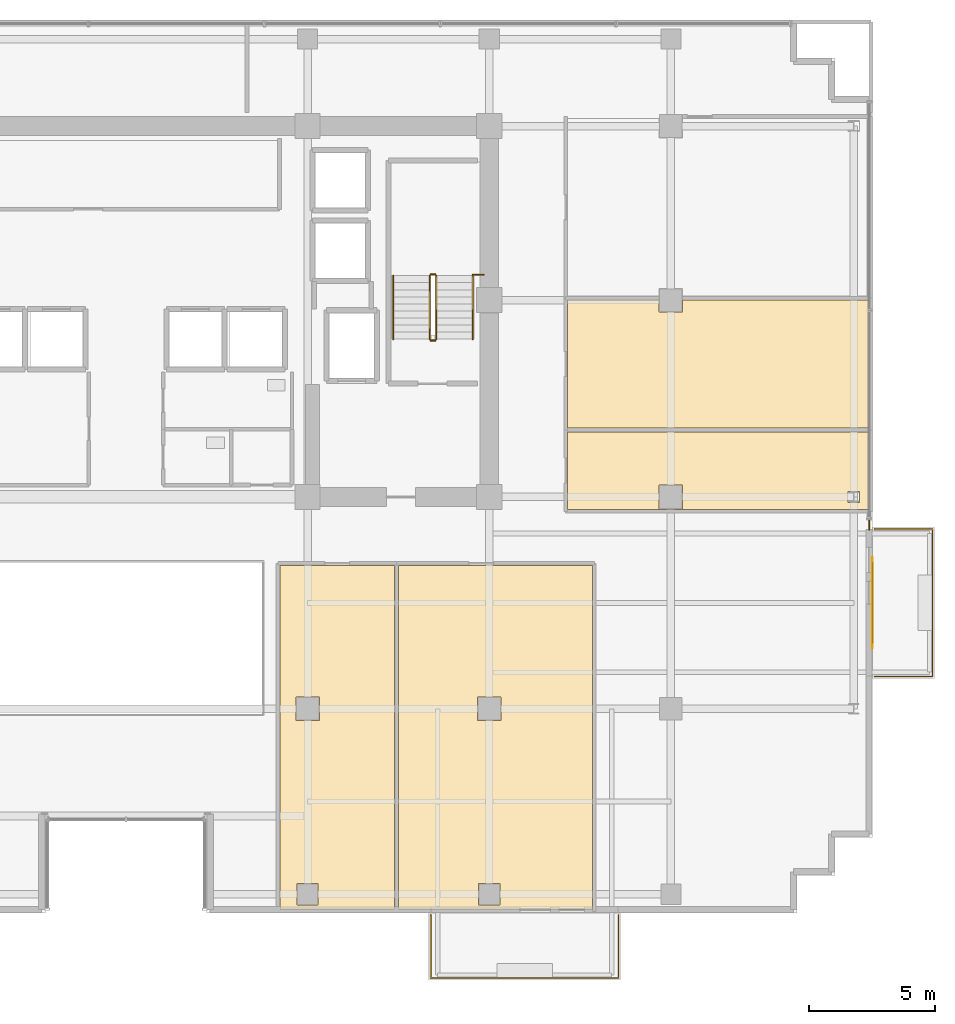
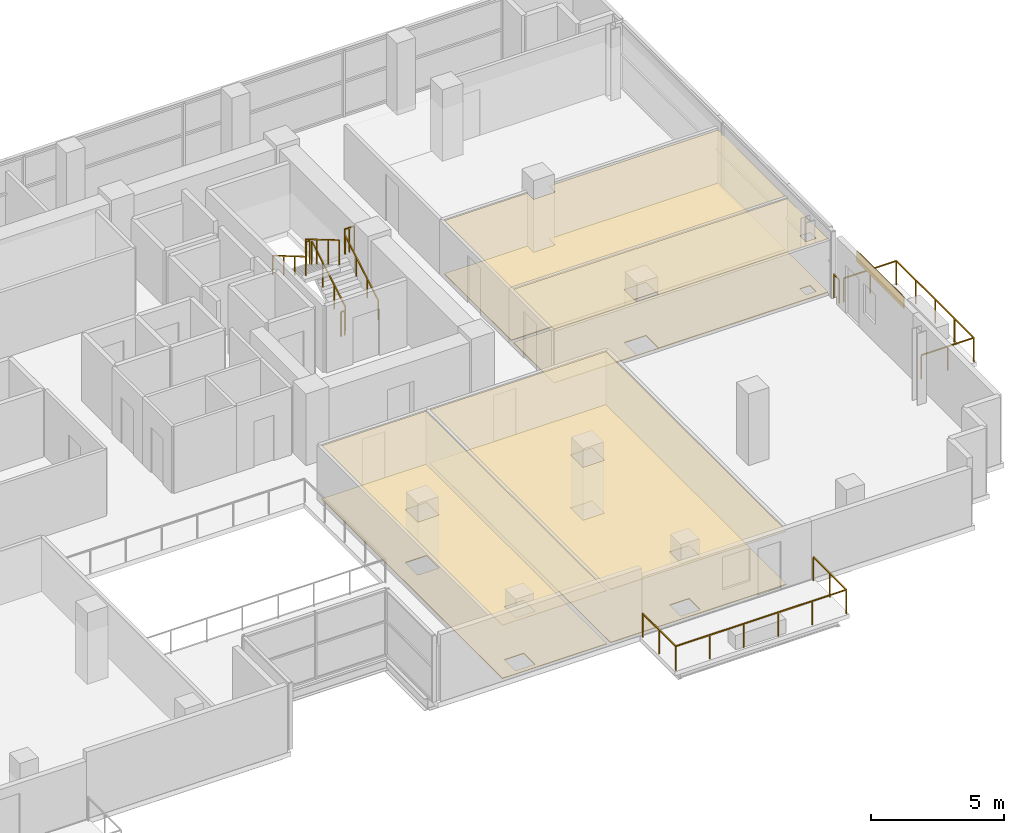
# One storey, part 23 of 25: 10 railings, 9 coverings, 1 shading device.
"""IFC4 building model written with IfcOpenShell, lengths in metres."""

import ifcopenshell
import ifcopenshell.guid

model = None  # the IFC model being written
_history = None  # IfcOwnerHistory: only IFC2X3 demands one
_inside = {}  # id of a spatial element -> (the spatial element, [elements in it])
_under = {}  # id of a project, library or spatial element -> (it, [spatial elements below it])
_declared = {}  # id of a project -> (the project, [libraries it declares])
_typed = {}  # id of a type object -> (the type object, [elements of that type])
_made_of = {}  # id of a material, layer set ... -> (it, [elements and type objects made of it])


def new_model(schema):
    """Start an empty IFC model of exactly this schema.

    Asked for "IFC4X3", IfcOpenShell would pick the latest addendum, in which some entities
    have other attributes; the version numbers below select the first issue.
    IFC2X3 requires an IfcOwnerHistory on every rooted entity: one is made here for all.
    """
    global model, _history
    if schema == "IFC4X3":
        model = ifcopenshell.file(schema_version=(4, 3, 0, 0))
    else:
        model = ifcopenshell.file(schema=schema)
    _inside.clear()
    _under.clear()
    _declared.clear()
    _typed.clear()
    _made_of.clear()
    _history = None
    if model.schema == "IFC2X3":
        org = make("IfcOrganization", Name="unknown")
        user = make(
            "IfcPersonAndOrganization",
            ThePerson=make("IfcPerson", FamilyName="unknown"),
            TheOrganization=org,
        )
        app = make(
            "IfcApplication",
            ApplicationDeveloper=org,
            Version="unknown",
            ApplicationFullName="unknown",
            ApplicationIdentifier="unknown",
        )
        _history = make(
            "IfcOwnerHistory",
            OwningUser=user,
            OwningApplication=app,
            ChangeAction="ADDED",
            CreationDate=0,
        )
    return model


def make(cls, **values):
    """One entity of the class cls with the attributes given. An attribute that is None is left unset."""
    return model.create_entity(
        cls, **{name: value for name, value in values.items() if value is not None}
    )


def rooted(cls, **values):
    """An entity with a GlobalId (a new one), such as an element, a storey or a relation."""
    return make(cls, GlobalId=ifcopenshell.guid.new(), OwnerHistory=_history, **values)


def si_unit(unit_type, name, prefix=None):
    """IfcSIUnit, for example si_unit("LENGTHUNIT", "METRE", prefix="MILLI")."""
    return make("IfcSIUnit", UnitType=unit_type, Prefix=prefix, Name=name)


def assignment(units):
    """IfcUnitAssignment: the units of a project."""
    return None if units is None else make("IfcUnitAssignment", Units=units)


def point(xyz):
    """IfcCartesianPoint."""
    return None if xyz is None else make("IfcCartesianPoint", Coordinates=xyz)


def direction(xyz):
    """IfcDirection."""
    return None if xyz is None else make("IfcDirection", DirectionRatios=xyz)


def frame(location, z_axis=None, x_axis=None):
    """IfcAxis2Placement3D, a coordinate frame: its origin and axes. An axis left out is left unset."""
    return make(
        "IfcAxis2Placement3D",
        Location=point(location),
        Axis=direction(z_axis),
        RefDirection=direction(x_axis),
    )


def frame_2d(location, x_axis=None):
    """IfcAxis2Placement2D, a coordinate frame in the plane: its origin and x axis."""
    return make(
        "IfcAxis2Placement2D", Location=point(location), RefDirection=direction(x_axis)
    )


def origin():
    """The frame at (0, 0, 0) with its axes left unset."""
    return frame((0.0, 0.0, 0.0))


def origin_2d():
    """The frame at (0, 0) in the plane with its x axis left unset."""
    return frame_2d((0.0, 0.0))


def place(relative_to, where):
    """IfcLocalPlacement: puts the frame where relative to a parent placement (None: the world)."""
    return make(
        "IfcLocalPlacement", PlacementRelTo=relative_to, RelativePlacement=where
    )


def context(
    kind, dimensions, precision=None, world=None, true_north=None, identifier=None
):
    """IfcGeometricRepresentationContext, for example the 3D "Model" context."""
    return make(
        "IfcGeometricRepresentationContext",
        ContextIdentifier=identifier,
        ContextType=kind,
        CoordinateSpaceDimension=dimensions,
        Precision=precision,
        WorldCoordinateSystem=world,
        TrueNorth=true_north,
    )


def subcontext(parent, identifier, kind, view, scale=None):
    """IfcGeometricRepresentationSubContext, for example "Body" below "Model"."""
    return make(
        "IfcGeometricRepresentationSubContext",
        ContextIdentifier=identifier,
        ContextType=kind,
        ParentContext=parent,
        TargetScale=scale,
        TargetView=view,
    )


def project(units=None, contexts=None):
    """IfcProject with its units and contexts."""
    return rooted(
        "IfcProject",
        Name="project",
        RepresentationContexts=contexts,
        UnitsInContext=assignment(units),
    )


def spatial(cls, under=None, at=None, **own):
    """A site, building, storey or space (cls), placed at a placement, below another one or the project."""
    s = rooted(cls, ObjectPlacement=at, **own)
    if under is not None:
        _under.setdefault(under.id(), (under, []))[1].append(s)
    return s


def polyline(points):
    """IfcPolyline through the points."""
    return make("IfcPolyline", Points=[point(p) for p in points])


def profile(cls, at=None, kind="AREA", **sizes):
    """A parametric profile (cls). Its sizes go by their IFC names, for example OverallWidth=200.0."""
    return make(cls, ProfileType=kind, Position=at, **sizes)


def rectangle(**sizes):
    """IfcRectangleProfileDef."""
    return profile("IfcRectangleProfileDef", **sizes)


def outline(outer, holes=None, kind="AREA"):
    """IfcArbitraryClosedProfileDef: a profile drawn as a closed curve; with holes, ...WithVoids."""
    if holes is None:
        return make("IfcArbitraryClosedProfileDef", ProfileType=kind, OuterCurve=outer)
    return make(
        "IfcArbitraryProfileDefWithVoids",
        ProfileType=kind,
        OuterCurve=outer,
        InnerCurves=holes,
    )


def extrude(swept, where, along, depth):
    """IfcExtrudedAreaSolid: the profile swept, set in the frame where, extruded along a direction by depth."""
    return make(
        "IfcExtrudedAreaSolid",
        SweptArea=swept,
        Position=where,
        ExtrudedDirection=direction(along),
        Depth=depth,
    )


def shape(context_of_items, identifier, shape_type, items):
    """IfcShapeRepresentation: the items that make up one representation, for example the "Body"."""
    return make(
        "IfcShapeRepresentation",
        ContextOfItems=context_of_items,
        RepresentationIdentifier=identifier,
        RepresentationType=shape_type,
        Items=items,
    )


def source(mapping_origin, context_of_items, identifier, shape_type, items):
    """IfcRepresentationMap: a shape defined once, which mapped items show again and again."""
    return make(
        "IfcRepresentationMap",
        MappingOrigin=mapping_origin,
        MappedRepresentation=shape(context_of_items, identifier, shape_type, items),
    )


def transform(
    local_origin,
    x_axis=None,
    y_axis=None,
    z_axis=None,
    scale=None,
    scale2=None,
    scale3=None,
    uniform=True,
):
    """IfcCartesianTransformationOperator3D, or its non-uniform kind. x_axis, y_axis, z_axis: its Axis1, 2, 3."""
    if uniform:
        return make(
            "IfcCartesianTransformationOperator3D",
            Axis1=direction(x_axis),
            Axis2=direction(y_axis),
            LocalOrigin=point(local_origin),
            Scale=scale,
            Axis3=direction(z_axis),
        )
    return make(
        "IfcCartesianTransformationOperator3DnonUniform",
        Axis1=direction(x_axis),
        Axis2=direction(y_axis),
        LocalOrigin=point(local_origin),
        Scale=scale,
        Axis3=direction(z_axis),
        Scale2=scale2,
        Scale3=scale3,
    )


def mapped(mapping_source, mapping_target):
    """IfcMappedItem: shows the shape of a source again, moved by a transform."""
    return make(
        "IfcMappedItem", MappingSource=mapping_source, MappingTarget=mapping_target
    )


def material(Name=None, Category=None):
    """IfcMaterial."""
    return make("IfcMaterial", Name=Name, Category=Category)


def layer(
    of_material, thickness, ventilated=None, Name=None, Category=None, Priority=None
):
    """IfcMaterialLayer: one layer of a wall or slab, of a material (None: an air gap)."""
    return make(
        "IfcMaterialLayer",
        Material=of_material,
        LayerThickness=thickness,
        IsVentilated=ventilated,
        Name=Name,
        Category=Category,
        Priority=Priority,
    )


def layer_set(layers, Name=None):
    """IfcMaterialLayerSet."""
    return make("IfcMaterialLayerSet", MaterialLayers=layers, LayerSetName=Name)


def made_of(thing, what):
    """Note that an element or type object is made of a material, layer set ...; save() writes the relation."""
    if what is not None:
        _made_of.setdefault(what.id(), (what, []))[1].append(thing)
    return thing


def type_object(cls, material=None, **own):
    """A type object (cls), such as IfcWallType, which elements share."""
    return made_of(rooted(cls, **own), material)


def element(
    cls,
    number,
    at=None,
    inside=None,
    cuts=None,
    type_object=None,
    material=None,
    context=None,
    identifier="Body",
    shape_type=None,
    held_by="IfcProductDefinitionShape",
    body=None,
    shapes=None,
    **own,
):
    """One element of the class cls, such as IfcWall. Its Tag is "e" and its number.

    at: its placement. inside: the storey or other place that contains it. cuts: it is an
    opening in that element (IfcRelVoidsElement). A single representation is given by context,
    identifier, shape_type and body (its items); several are given by shapes. held_by: the class
    of the entity that holds the representations. save() writes the other relations.
    """
    e = rooted(cls, Tag="e%d" % number, ObjectPlacement=at, **own)
    if body is not None:
        shapes = [shape(context, identifier, shape_type, body)]
    if shapes is not None:
        e.Representation = make(held_by, Representations=shapes)
    if inside is not None:
        _inside.setdefault(inside.id(), (inside, []))[1].append(e)
    if cuts is not None:
        rooted(
            "IfcRelVoidsElement", RelatingBuildingElement=cuts, RelatedOpeningElement=e
        )
    if type_object is not None:
        _typed.setdefault(type_object.id(), (type_object, []))[1].append(e)
    return made_of(e, material)


def aggregate(whole, parts):
    """IfcRelAggregates: a whole, such as a stair, and the parts it consists of."""
    return rooted("IfcRelAggregates", RelatingObject=whole, RelatedObjects=parts)


def save(model, path):
    """Write the relations noted so far, then the file.

    IfcRelAggregates (storeys below a building ...), IfcRelContainedInSpatialStructure (elements
    in a storey), IfcRelDefinesByType, IfcRelAssociatesMaterial and IfcRelDeclares: one each for
    every whole, place, type object, material and project.
    """
    for whole, parts in _under.values():
        aggregate(whole, parts)
    for where, things in _inside.values():
        rooted(
            "IfcRelContainedInSpatialStructure",
            RelatedElements=things,
            RelatingStructure=where,
        )
    for kind, things in _typed.values():
        rooted("IfcRelDefinesByType", RelatedObjects=things, RelatingType=kind)
    for what, things in _made_of.values():
        rooted("IfcRelAssociatesMaterial", RelatedObjects=things, RelatingMaterial=what)
    for by, libraries in _declared.values():
        rooted("IfcRelDeclares", RelatingContext=by, RelatedDefinitions=libraries)
    model.write(path)


model = new_model("IFC4")

# Units and contexts
model_context = context("Model", 3, precision=1e-05, world=origin(), true_north=direction((0.0, 1.0)))
body_context = subcontext(model_context, "Body", "Model", "MODEL_VIEW")
ifc_project = project(units=[si_unit("LENGTHUNIT", "METRE"), si_unit("AREAUNIT", "SQUARE_METRE"), si_unit("VOLUMEUNIT", "CUBIC_METRE"), si_unit("PLANEANGLEUNIT", "RADIAN"), si_unit("MASSUNIT", "GRAM", prefix="KILO")], contexts=[model_context])

# Site, building, storey
site_placement = place(None, origin())
site = spatial("IfcSite", under=ifc_project, at=site_placement, CompositionType="ELEMENT")
building_placement = place(site_placement, origin())
building = spatial("IfcBuilding", under=site, at=building_placement, Name="Zarnakvel Exchange Tower", CompositionType="ELEMENT")
storey_placement = place(building_placement, frame((0.0, 0.0, 126.39990234375)))
storey = spatial("IfcBuildingStorey", under=building, at=storey_placement, Name="L35", CompositionType="ELEMENT", Elevation=126.39990234375)

# Coverings
ifc_material_1 = material(Name="Perforated Bronze Acoustic Metal Ceiling", Category="aluminium")
ifc_layer_1 = layer(ifc_material_1, 0.02001953125)
ifc_layer_set_1 = layer_set([ifc_layer_1], Name="Perforated Bronze Acoustic Metal Ceiling")
covering_type_1 = type_object("IfcCoveringType", Name="CLG-01", PredefinedType="CEILING", material=ifc_layer_set_1)
covering_1_placement = place(storey_placement, frame((0.0, 0.0, 2.455078125)))
element("IfcCovering", 1, at=covering_1_placement, inside=storey, type_object=covering_type_1, Name="L35 Suspended Acoustic Ceiling (Meeting Room)", PredefinedType="CEILING", context=body_context, shape_type="SweptSolid", body=[
    extrude(outline(polyline([(6.10009765625, -3.909912109375), (10.649169921875, -3.909912109375), (10.649169921875, -17.550048828125), (6.10009765625, -17.550048828125), (6.10009765625, -3.909912109375)]), holes=[polyline([(6.72998046875, -10.070068359375), (7.669921875, -10.070068359375), (7.669921875, -9.1298828125), (6.72998046875, -9.1298828125), (6.72998046875, -10.070068359375)]), polyline([(7.6201171875, -17.3701171875), (7.6201171875, -16.530029296875), (6.780029296875, -16.530029296875), (6.780029296875, -17.3701171875), (7.6201171875, -17.3701171875)])]), origin(), (0.0, 0.0, 1.0), 0.02001953125),
])
covering_2_placement = place(storey_placement, frame((0.0, 0.0, 2.455078125)))
element("IfcCovering", 2, at=covering_2_placement, inside=storey, type_object=covering_type_1, Name="L35 Suspended Acoustic Ceiling (Executive Office)", PredefinedType="CEILING", context=body_context, shape_type="SweptSolid", body=[
    extrude(outline(polyline([(10.80908203125, -3.909912109375), (18.48583984375, -3.909912109375), (18.48583984375, -17.550048828125), (10.80908203125, -17.550048828125), (10.80908203125, -3.909912109375)]), holes=[polyline([(13.929931640625, -10.070068359375), (14.8701171875, -10.070068359375), (14.8701171875, -9.1298828125), (13.929931640625, -9.1298828125), (13.929931640625, -10.070068359375)]), polyline([(14.820068359375, -17.3701171875), (14.820068359375, -16.530029296875), (13.97998046875, -16.530029296875), (13.97998046875, -17.3701171875), (14.820068359375, -17.3701171875)])]), origin(), (0.0, 0.0, 1.0), 0.02001953125),
])
covering_3_placement = place(storey_placement, frame((0.0, 0.0, 2.455078125)))
element("IfcCovering", 3, at=covering_3_placement, inside=storey, type_object=covering_type_1, Name="L35 Suspended Acoustic Ceiling (Staff Pantry)", PredefinedType="CEILING", context=body_context, shape_type="SweptSolid", body=[
    extrude(outline(polyline([(17.510009765625, 1.380126953125), (29.449951171875, 1.380126953125), (29.449951171875, -1.68994140625), (17.510009765625, -1.68994140625), (17.510009765625, 1.380126953125)]), holes=[polyline([(28.6279296875, -1.423583984375), (29.072021484375, -1.423583984375), (29.072021484375, -0.9765625), (28.6279296875, -0.9765625), (28.6279296875, -1.423583984375)]), polyline([(22.070068359375, -1.669921875), (22.070068359375, -0.72998046875), (21.1298828125, -0.72998046875), (21.1298828125, -1.669921875), (22.070068359375, -1.669921875)])]), origin(), (0.0, 0.0, 1.0), 0.02001953125),
])
covering_4_placement = place(storey_placement, frame((0.0, 0.0, 2.455078125)))
element("IfcCovering", 4, at=covering_4_placement, inside=storey, type_object=covering_type_1, Name="L35 Suspended Acoustic Ceiling (Risk Analytics Suite)", PredefinedType="CEILING", context=body_context, shape_type="SweptSolid", body=[
    extrude(outline(polyline([(17.510009765625, 6.5966796875), (21.1298828125, 6.5966796875), (21.1298828125, 6.1298828125), (22.070068359375, 6.1298828125), (22.070068359375, 6.5966796875), (29.449951171875, 6.5966796875), (29.449951171875, 1.5400390625), (17.510009765625, 1.5400390625), (17.510009765625, 6.5966796875)])), origin(), (0.0, 0.0, 1.0), 0.02001953125),
])
ifc_material_2 = material(Name="Heavy-Duty Raised Access Floor Panel", Category="steel")
ifc_layer_2 = layer(ifc_material_2, 0.034912109375)
ifc_layer_set_2 = layer_set([ifc_layer_2], Name="Heavy-Duty Raised Access Floor Panel")
covering_type_2 = type_object("IfcCoveringType", Name="FLR-02", PredefinedType="FLOORING", material=ifc_layer_set_2)
covering_5_placement = place(storey_placement, origin())
element("IfcCovering", 5, at=covering_5_placement, inside=storey, type_object=covering_type_2, Name="L35 Floor Finish (Meeting Room)", PredefinedType="FLOORING", context=body_context, shape_type="SweptSolid", body=[
    extrude(outline(polyline([(6.10009765625, -3.909912109375), (10.649169921875, -3.909912109375), (10.649169921875, -17.550048828125), (6.10009765625, -17.550048828125), (6.10009765625, -3.909912109375)]), holes=[polyline([(6.72998046875, -10.070068359375), (7.669921875, -10.070068359375), (7.669921875, -9.1298828125), (6.72998046875, -9.1298828125), (6.72998046875, -10.070068359375)]), polyline([(7.6201171875, -17.3701171875), (7.6201171875, -16.530029296875), (6.780029296875, -16.530029296875), (6.780029296875, -17.3701171875), (7.6201171875, -17.3701171875)])]), origin(), (0.0, 0.0, 1.0), 0.03515625),
])
covering_6_placement = place(storey_placement, origin())
element("IfcCovering", 6, at=covering_6_placement, inside=storey, type_object=covering_type_2, Name="L35 Floor Finish (Executive Office)", PredefinedType="FLOORING", context=body_context, shape_type="SweptSolid", body=[
    extrude(outline(polyline([(10.80908203125, -3.909912109375), (18.48583984375, -3.909912109375), (18.48583984375, -17.550048828125), (10.80908203125, -17.550048828125), (10.80908203125, -3.909912109375)]), holes=[polyline([(13.929931640625, -10.070068359375), (14.8701171875, -10.070068359375), (14.8701171875, -9.1298828125), (13.929931640625, -9.1298828125), (13.929931640625, -10.070068359375)]), polyline([(14.820068359375, -17.3701171875), (14.820068359375, -16.530029296875), (13.97998046875, -16.530029296875), (13.97998046875, -17.3701171875), (14.820068359375, -17.3701171875)])]), origin(), (0.0, 0.0, 1.0), 0.03515625),
])
covering_7_placement = place(storey_placement, origin())
element("IfcCovering", 7, at=covering_7_placement, inside=storey, type_object=covering_type_2, Name="L35 Floor Finish (Staff Pantry)", PredefinedType="FLOORING", context=body_context, shape_type="SweptSolid", body=[
    extrude(outline(polyline([(17.510009765625, 1.380126953125), (29.449951171875, 1.380126953125), (29.449951171875, -1.68994140625), (17.510009765625, -1.68994140625), (17.510009765625, 1.380126953125)]), holes=[polyline([(28.6279296875, -1.423583984375), (29.072021484375, -1.423583984375), (29.072021484375, -0.9765625), (28.6279296875, -0.9765625), (28.6279296875, -1.423583984375)]), polyline([(22.070068359375, -1.669921875), (22.070068359375, -0.72998046875), (21.1298828125, -0.72998046875), (21.1298828125, -1.669921875), (22.070068359375, -1.669921875)])]), origin(), (0.0, 0.0, 1.0), 0.03515625),
])
covering_8_placement = place(storey_placement, origin())
element("IfcCovering", 8, at=covering_8_placement, inside=storey, type_object=covering_type_2, Name="L35 Floor Finish (Risk Analytics Suite)", PredefinedType="FLOORING", context=body_context, shape_type="SweptSolid", body=[
    extrude(outline(polyline([(17.510009765625, 6.5966796875), (21.1298828125, 6.5966796875), (21.1298828125, 6.1298828125), (22.070068359375, 6.1298828125), (22.070068359375, 6.5966796875), (29.449951171875, 6.5966796875), (29.449951171875, 1.5400390625), (17.510009765625, 1.5400390625), (17.510009765625, 6.5966796875)])), origin(), (0.0, 0.0, 1.0), 0.03515625),
])

# Railings
ifc_material_3 = material(Name="Architectural Bronze Anodised Aluminium", Category="aluminium")
railing_type_1 = type_object("IfcRailingType", Name="GR-02", PredefinedType="GUARDRAIL", material=ifc_material_3)
railing_1_placement = place(storey_placement, frame((12.080078125, -17.780029296875, -0.034912109375)))
element("IfcRailing", 9, at=railing_1_placement, inside=storey, type_object=railing_type_1, Name="L35 Balcony Guardrail BAL-L35-SE", PredefinedType="GUARDRAIL", context=body_context, shape_type="SweptSolid", body=[
    extrude(rectangle(XDim=0.048095703125, YDim=0.048095703125, at=origin_2d()), frame((0.0, 0.0, 1.09619140625), z_axis=(0.0, -1.0, 0.0), x_axis=(1.0, 0.0, 0.0)), (0.0, 0.0, 1.0), 2.489990234375),
    extrude(rectangle(XDim=0.048095703125, YDim=0.048095703125, at=origin_2d()), frame((0.0, -2.489990234375, 1.09619140625), z_axis=(1.0, 0.0, 0.0), x_axis=(0.0, 1.0, 0.0)), (0.0, 0.0, 1.0), 7.43994140625),
    extrude(rectangle(XDim=0.048095703125, YDim=0.048095703125, at=origin_2d()), frame((7.43994140625, -2.489990234375, 1.09619140625), z_axis=(0.0, 1.0, 0.0), x_axis=(-1.0, 0.0, 0.0)), (0.0, 0.0, 1.0), 2.489990234375),
    extrude(rectangle(XDim=0.0419921875, YDim=0.0419921875, at=origin_2d()), origin(), (0.0, 0.0, 1.0), 1.072021484375),
    extrude(rectangle(XDim=0.0419921875, YDim=0.0419921875, at=origin_2d()), frame((0.0, -1.2451171875, 0.0)), (0.0, 0.0, 1.0), 1.072021484375),
    extrude(rectangle(XDim=0.0419921875, YDim=0.0419921875, at=origin_2d()), frame((0.0, -2.489990234375, 0.0)), (0.0, 0.0, 1.0), 1.072021484375),
    extrude(rectangle(XDim=0.0419921875, YDim=0.0419921875, at=origin_2d()), frame((1.488037109375, -2.489990234375, 0.0)), (0.0, 0.0, 1.0), 1.072021484375),
    extrude(rectangle(XDim=0.0419921875, YDim=0.0419921875, at=origin_2d()), frame((2.97607421875, -2.489990234375, 0.0)), (0.0, 0.0, 1.0), 1.072021484375),
    extrude(rectangle(XDim=0.0419921875, YDim=0.0419921875, at=origin_2d()), frame((4.4638671875, -2.489990234375, 0.0)), (0.0, 0.0, 1.0), 1.072021484375),
    extrude(rectangle(XDim=0.0419921875, YDim=0.0419921875, at=origin_2d()), frame((5.951904296875, -2.489990234375, 0.0)), (0.0, 0.0, 1.0), 1.072021484375),
    extrude(rectangle(XDim=0.0419921875, YDim=0.0419921875, at=origin_2d()), frame((7.43994140625, -2.489990234375, 0.0)), (0.0, 0.0, 1.0), 1.072021484375),
    extrude(rectangle(XDim=0.0419921875, YDim=0.0419921875, at=origin_2d()), frame((7.43994140625, -1.2451171875, 0.0)), (0.0, 0.0, 1.0), 1.072021484375),
    extrude(rectangle(XDim=0.0419921875, YDim=0.0419921875, at=origin_2d()), frame((7.43994140625, 0.0, 0.0)), (0.0, 0.0, 1.0), 1.072021484375),
])
railing_2_placement = place(storey_placement, frame((29.679931640625, -8.320068359375, -0.034912109375)))
element("IfcRailing", 10, at=railing_2_placement, inside=storey, type_object=railing_type_1, Name="L35 Balcony Guardrail BAL-L35-E", PredefinedType="GUARDRAIL", context=body_context, shape_type="SweptSolid", body=[
    extrude(rectangle(XDim=0.048095703125, YDim=0.048095703125, at=origin_2d()), frame((0.0, 0.0, 1.09619140625), z_axis=(1.0, 0.0, 0.0), x_axis=(0.0, 1.0, 0.0)), (0.0, 0.0, 1.0), 2.2900390625),
    extrude(rectangle(XDim=0.048095703125, YDim=0.048095703125, at=origin_2d()), frame((2.2900390625, 0.0, 1.09619140625), z_axis=(0.0, 1.0, 0.0), x_axis=(-1.0, 0.0, 0.0)), (0.0, 0.0, 1.0), 5.840087890625),
    extrude(rectangle(XDim=0.048095703125, YDim=0.048095703125, at=origin_2d()), frame((2.2900390625, 5.840087890625, 1.09619140625), z_axis=(-1.0, 0.0, 0.0), x_axis=(0.0, -1.0, 0.0)), (0.0, 0.0, 1.0), 2.2900390625),
    extrude(rectangle(XDim=0.0419921875, YDim=0.0419921875, at=origin_2d()), origin(), (0.0, 0.0, 1.0), 1.072021484375),
    extrude(rectangle(XDim=0.0419921875, YDim=0.0419921875, at=origin_2d()), frame((1.14501953125, 0.0, 0.0)), (0.0, 0.0, 1.0), 1.072021484375),
    extrude(rectangle(XDim=0.0419921875, YDim=0.0419921875, at=origin_2d()), frame((2.2900390625, 0.0, 0.0)), (0.0, 0.0, 1.0), 1.072021484375),
    extrude(rectangle(XDim=0.0419921875, YDim=0.0419921875, at=origin_2d()), frame((2.2900390625, 1.4599609375, 0.0)), (0.0, 0.0, 1.0), 1.072021484375),
    extrude(rectangle(XDim=0.0419921875, YDim=0.0419921875, at=origin_2d()), frame((2.2900390625, 2.919921875, 0.0)), (0.0, 0.0, 1.0), 1.072021484375),
    extrude(rectangle(XDim=0.0419921875, YDim=0.0419921875, at=origin_2d()), frame((2.2900390625, 4.380126953125, 0.0)), (0.0, 0.0, 1.0), 1.072021484375),
    extrude(rectangle(XDim=0.0419921875, YDim=0.0419921875, at=origin_2d()), frame((2.2900390625, 5.840087890625, 0.0)), (0.0, 0.0, 1.0), 1.072021484375),
    extrude(rectangle(XDim=0.0419921875, YDim=0.0419921875, at=origin_2d()), frame((1.14501953125, 5.840087890625, 0.0)), (0.0, 0.0, 1.0), 1.072021484375),
    extrude(rectangle(XDim=0.0419921875, YDim=0.0419921875, at=origin_2d()), frame((0.0, 5.840087890625, 0.0)), (0.0, 0.0, 1.0), 1.072021484375),
])
railing_3_placement = place(storey_placement, frame((29.4599609375, -2.10009765625, 0.0)))
element("IfcRailing", 11, at=railing_3_placement, inside=storey, type_object=railing_type_1, Name="L35 Corner Spandrel Balustrade #9", PredefinedType="GUARDRAIL", context=body_context, shape_type="SweptSolid", body=[
    extrude(rectangle(XDim=0.048095703125, YDim=0.048095703125, at=origin_2d()), frame((0.0, 0.0, 1.09619140625), z_axis=(0.0, -1.0, 0.0), x_axis=(1.0, 0.0, 0.0)), (0.0, 0.0, 1.0), 0.39990234375),
    extrude(rectangle(XDim=0.0419921875, YDim=0.0419921875, at=origin_2d()), origin(), (0.0, 0.0, 1.0), 1.072021484375),
    extrude(rectangle(XDim=0.0419921875, YDim=0.0419921875, at=origin_2d()), frame((0.0, -0.39990234375, 0.0)), (0.0, 0.0, 1.0), 1.072021484375),
])
ifc_material_4 = material(Name="Brushed Stainless Steel", Category="steel")
railing_type_2 = type_object("IfcRailingType", Name="HR-01", PredefinedType="HANDRAIL", material=ifc_material_4)
railing_4_placement = place(storey_placement, frame((13.75, 5.050048828125, 0.1650390625)))
element("IfcRailing", 12, at=railing_4_placement, inside=storey, type_object=railing_type_2, Name="L35 ST-02 stair handrail 1", PredefinedType="HANDRAIL", context=body_context, shape_type="SweptSolid", body=[
    extrude(rectangle(XDim=0.048095703125, YDim=0.048095703125, at=origin_2d()), frame((0.0, 0.0, 0.8759765625), z_axis=(0.0, 0.86152411907, 0.507716645641), x_axis=(-1.0, 0.0, 0.0)), (0.0, 0.0, 1.0), 2.925048828125),
    extrude(rectangle(XDim=0.0419921875, YDim=0.0419921875, at=origin_2d()), origin(), (0.0, 0.0, 1.0), 0.851806640625),
    extrude(rectangle(XDim=0.0419921875, YDim=0.0419921875, at=origin_2d()), frame((0.0, 0.840087890625, 0.4951171875)), (0.0, 0.0, 1.0), 0.851806640625),
    extrude(rectangle(XDim=0.0419921875, YDim=0.0419921875, at=origin_2d()), frame((0.0, 1.679931640625, 0.989990234375)), (0.0, 0.0, 1.0), 0.851806640625),
    extrude(rectangle(XDim=0.0419921875, YDim=0.0419921875, at=origin_2d()), frame((0.0, 2.52001953125, 1.485107421875)), (0.0, 0.0, 1.0), 0.851806640625),
])
railing_5_placement = place(storey_placement, frame((10.590087890625, 7.570068359375, 1.815185546875)))
element("IfcRailing", 13, at=railing_5_placement, inside=storey, type_object=railing_type_2, Name="L35 ST-02 stair handrail 2", PredefinedType="HANDRAIL", context=body_context, shape_type="SweptSolid", body=[
    extrude(rectangle(XDim=0.048095703125, YDim=0.048095703125, at=origin_2d()), frame((0.0, 0.0, 0.8759765625), z_axis=(0.0, -0.861560626758, 0.507654692109), x_axis=(1.0, 0.0, 0.0)), (0.0, 0.0, 1.0), 2.925048828125),
    extrude(rectangle(XDim=0.0419921875, YDim=0.0419921875, at=origin_2d()), origin(), (0.0, 0.0, 1.0), 0.851806640625),
    extrude(rectangle(XDim=0.0419921875, YDim=0.0419921875, at=origin_2d()), frame((0.0, -0.840087890625, 0.494873046875)), (0.0, 0.0, 1.0), 0.851806640625),
    extrude(rectangle(XDim=0.0419921875, YDim=0.0419921875, at=origin_2d()), frame((0.0, -1.679931640625, 0.989990234375)), (0.0, 0.0, 1.0), 0.851806640625),
    extrude(rectangle(XDim=0.0419921875, YDim=0.0419921875, at=origin_2d()), frame((0.0, -2.52001953125, 1.48486328125)), (0.0, 0.0, 1.0), 0.851806640625),
])
railing_type_3 = type_object("IfcRailingType", Name="SG-01", PredefinedType="GUARDRAIL", material=ifc_material_3)
railing_6_placement = place(storey_placement, frame((12.300048828125, 5.050048828125, 0.1650390625)))
element("IfcRailing", 14, at=railing_6_placement, inside=storey, type_object=railing_type_3, Name="L35 ST-02 stair guard 1", PredefinedType="GUARDRAIL", context=body_context, shape_type="SweptSolid", body=[
    extrude(rectangle(XDim=0.048095703125, YDim=0.048095703125, at=origin_2d()), frame((0.0, 0.0, 1.1259765625), z_axis=(0.0, 0.86152411907, 0.507716645641), x_axis=(-1.0, 0.0, 0.0)), (0.0, 0.0, 1.0), 2.925048828125),
    extrude(rectangle(XDim=0.0419921875, YDim=0.0419921875, at=origin_2d()), origin(), (0.0, 0.0, 1.0), 1.101806640625),
    extrude(rectangle(XDim=0.0419921875, YDim=0.0419921875, at=origin_2d()), frame((0.0, 0.840087890625, 0.4951171875)), (0.0, 0.0, 1.0), 1.101806640625),
    extrude(rectangle(XDim=0.0419921875, YDim=0.0419921875, at=origin_2d()), frame((0.0, 1.679931640625, 0.989990234375)), (0.0, 0.0, 1.0), 1.101806640625),
    extrude(rectangle(XDim=0.0419921875, YDim=0.0419921875, at=origin_2d()), frame((0.0, 2.52001953125, 1.485107421875)), (0.0, 0.0, 1.0), 1.101806640625),
])
railing_7_placement = place(storey_placement, frame((12.25, 7.6201171875, 1.650146484375)))
element("IfcRailing", 15, at=railing_7_placement, inside=storey, type_object=railing_type_3, Name="L35 ST-02 stair guard 2", PredefinedType="GUARDRAIL", context=body_context, shape_type="SweptSolid", body=[
    extrude(rectangle(XDim=0.048095703125, YDim=0.048095703125, at=origin_2d()), frame((0.0, 0.0, 1.1259765625), z_axis=(-1.0, 0.0, 0.0), x_axis=(0.0, -1.0, 0.0)), (0.0, 0.0, 1.0), 0.159912109375),
    extrude(rectangle(XDim=0.0419921875, YDim=0.0419921875, at=origin_2d()), origin(), (0.0, 0.0, 1.0), 1.101806640625),
    extrude(rectangle(XDim=0.0419921875, YDim=0.0419921875, at=origin_2d()), frame((-0.159912109375, 0.0, 0.0)), (0.0, 0.0, 1.0), 1.101806640625),
])
railing_8_placement = place(storey_placement, frame((12.0400390625, 7.570068359375, 1.815185546875)))
element("IfcRailing", 16, at=railing_8_placement, inside=storey, type_object=railing_type_3, Name="L35 ST-02 stair guard 3", PredefinedType="GUARDRAIL", context=body_context, shape_type="SweptSolid", body=[
    extrude(rectangle(XDim=0.048095703125, YDim=0.048095703125, at=origin_2d()), frame((0.0, 0.0, 1.1259765625), z_axis=(0.0, -0.861560626758, 0.507654692109), x_axis=(1.0, 0.0, 0.0)), (0.0, 0.0, 1.0), 2.925048828125),
    extrude(rectangle(XDim=0.0419921875, YDim=0.0419921875, at=origin_2d()), origin(), (0.0, 0.0, 1.0), 1.101806640625),
    extrude(rectangle(XDim=0.0419921875, YDim=0.0419921875, at=origin_2d()), frame((0.0, -0.840087890625, 0.494873046875)), (0.0, 0.0, 1.0), 1.101806640625),
    extrude(rectangle(XDim=0.0419921875, YDim=0.0419921875, at=origin_2d()), frame((0.0, -1.679931640625, 0.989990234375)), (0.0, 0.0, 1.0), 1.101806640625),
    extrude(rectangle(XDim=0.0419921875, YDim=0.0419921875, at=origin_2d()), frame((0.0, -2.52001953125, 1.48486328125)), (0.0, 0.0, 1.0), 1.101806640625),
])
railing_9_placement = place(storey_placement, frame((12.25, 5.0, 0.0)))
element("IfcRailing", 17, at=railing_9_placement, inside=storey, type_object=railing_type_3, Name="L35 ST-02 stair guard 4", PredefinedType="GUARDRAIL", context=body_context, shape_type="SweptSolid", body=[
    extrude(rectangle(XDim=0.048095703125, YDim=0.048095703125, at=origin_2d()), frame((0.0, 0.0, 1.1259765625), z_axis=(-1.0, 0.0, 0.0), x_axis=(0.0, -1.0, 0.0)), (0.0, 0.0, 1.0), 0.159912109375),
    extrude(rectangle(XDim=0.0419921875, YDim=0.0419921875, at=origin_2d()), origin(), (0.0, 0.0, 1.0), 1.101806640625),
    extrude(rectangle(XDim=0.0419921875, YDim=0.0419921875, at=origin_2d()), frame((-0.159912109375, 0.0, 0.0)), (0.0, 0.0, 1.0), 1.101806640625),
])
railing_10_placement = place(storey_placement, frame((13.75, 7.610107421875, 1.650146484375)))
element("IfcRailing", 18, at=railing_10_placement, inside=storey, type_object=railing_type_3, Name="L35 ST-02 Landing Slot Guardrail", PredefinedType="GUARDRAIL", context=body_context, shape_type="SweptSolid", body=[
    extrude(rectangle(XDim=0.048095703125, YDim=0.048095703125, at=origin_2d()), frame((0.0, 0.0, 1.1259765625), z_axis=(1.0, 0.0, 0.0), x_axis=(0.0, 1.0, 0.0)), (0.0, 0.0, 1.0), 0.429931640625),
    extrude(rectangle(XDim=0.0419921875, YDim=0.0419921875, at=origin_2d()), origin(), (0.0, 0.0, 1.0), 1.101806640625),
    extrude(rectangle(XDim=0.0419921875, YDim=0.0419921875, at=origin_2d()), frame((0.21484375, 0.0, 0.0)), (0.0, 0.0, 1.0), 1.101806640625),
    extrude(rectangle(XDim=0.0419921875, YDim=0.0419921875, at=origin_2d()), frame((0.429931640625, 0.0, 0.0)), (0.0, 0.0, 1.0), 1.101806640625),
])

# Shading device
ifc_material_5 = material(Name="Perforated Architectural Bronze Screen", Category="aluminium")
ifc_layer_3 = layer(ifc_material_5, 0.044921875)
ifc_layer_set_3 = layer_set([ifc_layer_3], Name="Perforated Architectural Bronze Screen")
shading_device_type = type_object("IfcShadingDeviceType", Name="SS-01", PredefinedType="JALOUSIE", material=ifc_layer_set_3)
shared_shape_1 = source(origin(), body_context, "Body", "SweptSolid", [
    extrude(rectangle(XDim=3.199951171875, YDim=0.044921875, at=origin_2d()), origin(), (0.0, 0.0, 1.0), 0.4951171875),
])
shading_device_placement = place(storey_placement, frame((29.6005859375, -5.39990234375, 2.56005859375), z_axis=(0.0, 0.0, 1.0), x_axis=(0.0, -1.0, 0.0)))
element("IfcShadingDevice", 19, at=shading_device_placement, inside=storey, type_object=shading_device_type, Name="L35 Bronze Solar Shading Screen SS-01", PredefinedType="JALOUSIE", context=body_context, shape_type="MappedRepresentation", body=[
    mapped(shared_shape_1, transform((0.0, 0.0, 0.0), x_axis=(1.0, 0.0, 0.0), y_axis=(0.0, 1.0, 0.0), z_axis=(0.0, 0.0, 1.0), scale=1.0)),
])

# Covering
ifc_material_6 = material(Name="Glazed Turquoise Ceramic Architectural Tile", Category="ceramic")
ifc_layer_4 = layer(ifc_material_6, 0.028076171875)
ifc_layer_set_4 = layer_set([ifc_layer_4], Name="Glazed Turquoise Ceramic Architectural Tile")
covering_type_3 = type_object("IfcCoveringType", Name="CL-01", PredefinedType="CLADDING", material=ifc_layer_set_4)
shared_shape_2 = source(origin(), body_context, "Body", "SweptSolid", [
    extrude(rectangle(XDim=3.60009765625, YDim=0.028076171875, at=origin_2d()), origin(), (0.0, 0.0, 1.0), 0.4951171875),
])
covering_9_placement = place(storey_placement, frame((29.592041015625, -5.39990234375, 2.56005859375), z_axis=(0.0, 0.0, 1.0), x_axis=(0.0, -1.0, 0.0)))
element("IfcCovering", 20, at=covering_9_placement, inside=storey, type_object=covering_type_3, Name="L35 Ceramic Spandrel Tilework CL-01", PredefinedType="CLADDING", context=body_context, shape_type="MappedRepresentation", body=[
    mapped(shared_shape_2, transform((0.0, 0.0, 0.0), x_axis=(1.0, 0.0, 0.0), y_axis=(0.0, 1.0, 0.0), z_axis=(0.0, 0.0, 1.0), scale=1.0)),
])

save(model, "model.ifc")
